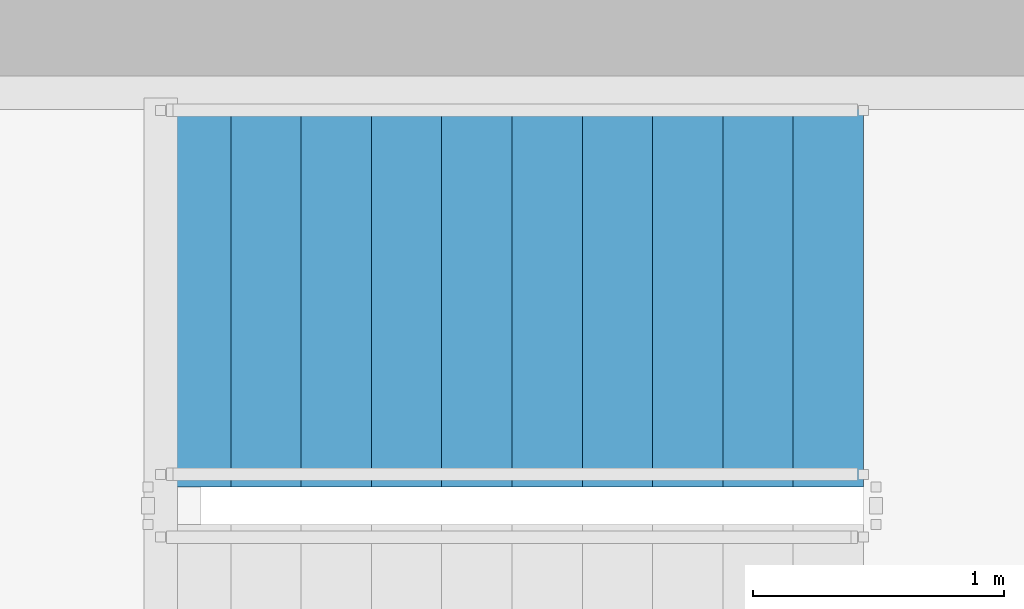
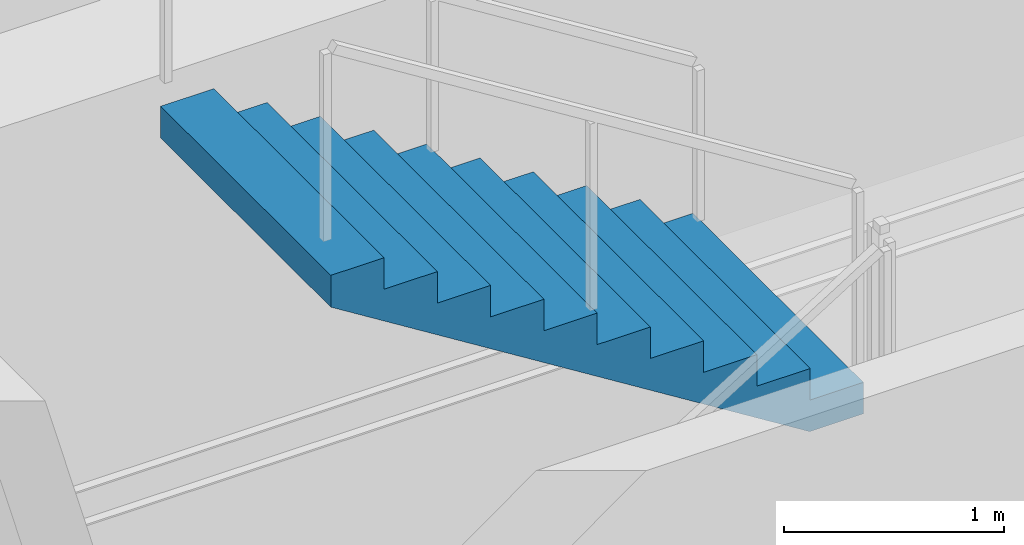
# One storey, part 23 of 30: 1 stair flight, 1 element without a shape of its own.
"""IFC4 building model written with IfcOpenShell, lengths in metres."""

from ifc_helpers import new_model, si_unit, direction, frame, origin, place, context, subcontext, project, spatial, polyline, outline, extrude, material, type_object, element, aggregate, save


model = new_model("IFC4")

# Units and contexts
model_context = context("Model", 3, precision=1e-05, world=origin(), true_north=direction((0.0, 1.0)))
body_context = subcontext(model_context, "Body", "Model", "MODEL_VIEW")
ifc_project = project(units=[si_unit("LENGTHUNIT", "METRE"), si_unit("AREAUNIT", "SQUARE_METRE"), si_unit("VOLUMEUNIT", "CUBIC_METRE"), si_unit("PLANEANGLEUNIT", "RADIAN"), si_unit("MASSUNIT", "GRAM", prefix="KILO")], contexts=[model_context])

# Site, building, storey
site_placement = place(None, origin())
site = spatial("IfcSite", under=ifc_project, at=site_placement, CompositionType="ELEMENT")
building_placement = place(site_placement, origin())
building = spatial("IfcBuilding", under=site, at=building_placement, Name="Kazma Halo Residences", CompositionType="ELEMENT")
storey_placement = place(building_placement, frame((0.0, 0.0, 255.949951171875)))
storey = spatial("IfcBuildingStorey", under=building, at=storey_placement, Name="L64", CompositionType="ELEMENT", Elevation=255.949951171875)

# Stair, stair flight
ifc_material = material(Name="Concrete C50/60", Category="concrete")
stair_type = type_object("IfcStairType", Name="STR-RES2", PredefinedType="HALF_TURN_STAIR", material=ifc_material)
stair_placement = place(storey_placement, origin())
stair = element("IfcStair", 1, at=stair_placement, inside=storey, type_object=stair_type, Name="L64 Core exit stair ST-02", PredefinedType="HALF_TURN_STAIR")
stair_flight_type = type_object("IfcStairFlightType", Name="STR-RES2-FLT", PredefinedType="STRAIGHT", material=ifc_material)
stair_flight_placement = place(storey_placement, frame((56.0, 49.22509765625, 1.925048828125), z_axis=(0.0, 0.0, 1.0), x_axis=(-1.0, 0.0, 0.0)))
stair_flight = element("IfcStairFlight", 2, at=stair_flight_placement, type_object=stair_flight_type, Name="ST-02 flight 2", NumberOfRisers=11, NumberOfTreads=10, PredefinedType="STRAIGHT", RiserHeight=0.175, TreadLength=0.28, context=body_context, shape_type="SweptSolid", body=[
    extrude(outline(polyline([(0.0, 0.0), (0.0, 0.175048828125), (0.280029296875, 0.175048828125), (0.280029296875, 0.35009765625), (0.56005859375, 0.35009765625), (0.56005859375, 0.52490234375), (0.840087890625, 0.52490234375), (0.840087890625, 0.699951171875), (1.1201171875, 0.699951171875), (1.1201171875, 0.875), (1.39990234375, 0.875), (1.39990234375, 1.050048828125), (1.679931640625, 1.050048828125), (1.679931640625, 1.22509765625), (1.9599609375, 1.22509765625), (1.9599609375, 1.39990234375), (2.239990234375, 1.39990234375), (2.239990234375, 1.574951171875), (2.52001953125, 1.574951171875), (2.52001953125, 1.75), (2.800048828125, 1.75), (2.800048828125, 1.925048828125), (2.800048828125, 1.5732421875), (0.28271484375, 0.0), (0.0, 0.0)])), frame((0.0, 0.77490234375, 0.0), z_axis=(0.0, -1.0, 0.0), x_axis=(1.0, 0.0, 0.0)), (0.0, 0.0, 1.0), 1.550048828125),
])
aggregate(stair, [stair_flight])

save(model, "model.ifc")
